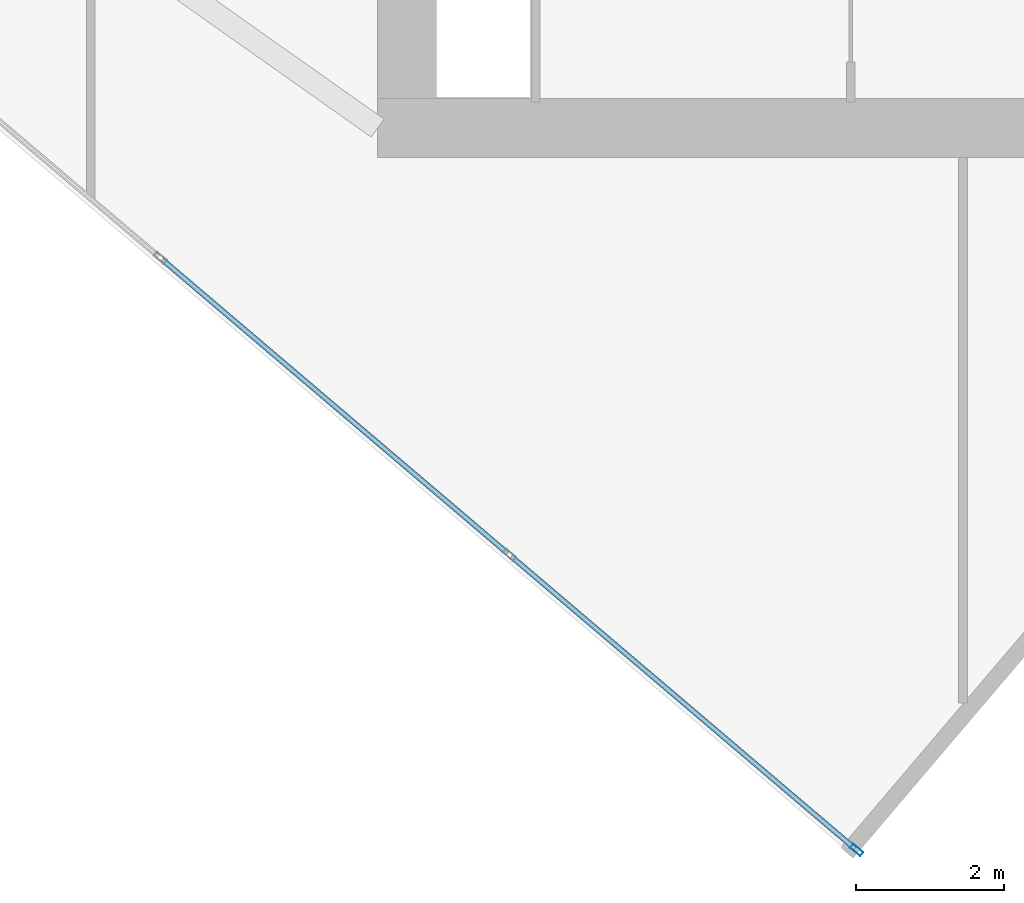
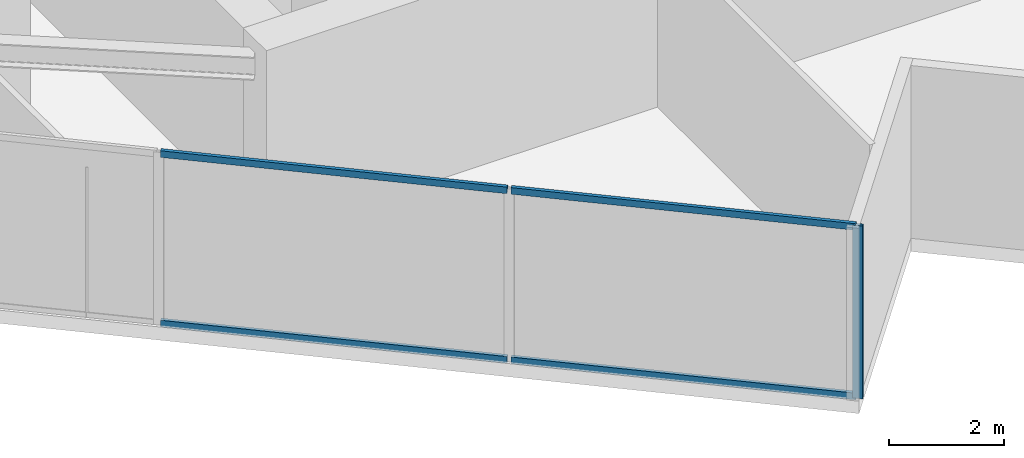
# One storey, part 3 of 26: 5 members, 1 element without a shape of its own.
"""IFC4 building model written with IfcOpenShell, lengths in metres."""

import ifcopenshell
import ifcopenshell.guid

model = None  # the IFC model being written
_history = None  # IfcOwnerHistory: only IFC2X3 demands one
_inside = {}  # id of a spatial element -> (the spatial element, [elements in it])
_under = {}  # id of a project, library or spatial element -> (it, [spatial elements below it])
_declared = {}  # id of a project -> (the project, [libraries it declares])
_typed = {}  # id of a type object -> (the type object, [elements of that type])
_made_of = {}  # id of a material, layer set ... -> (it, [elements and type objects made of it])


def new_model(schema):
    """Start an empty IFC model of exactly this schema.

    Asked for "IFC4X3", IfcOpenShell would pick the latest addendum, in which some entities
    have other attributes; the version numbers below select the first issue.
    IFC2X3 requires an IfcOwnerHistory on every rooted entity: one is made here for all.
    """
    global model, _history
    if schema == "IFC4X3":
        model = ifcopenshell.file(schema_version=(4, 3, 0, 0))
    else:
        model = ifcopenshell.file(schema=schema)
    _inside.clear()
    _under.clear()
    _declared.clear()
    _typed.clear()
    _made_of.clear()
    _history = None
    if model.schema == "IFC2X3":
        org = make("IfcOrganization", Name="unknown")
        user = make(
            "IfcPersonAndOrganization",
            ThePerson=make("IfcPerson", FamilyName="unknown"),
            TheOrganization=org,
        )
        app = make(
            "IfcApplication",
            ApplicationDeveloper=org,
            Version="unknown",
            ApplicationFullName="unknown",
            ApplicationIdentifier="unknown",
        )
        _history = make(
            "IfcOwnerHistory",
            OwningUser=user,
            OwningApplication=app,
            ChangeAction="ADDED",
            CreationDate=0,
        )
    return model


def make(cls, **values):
    """One entity of the class cls with the attributes given. An attribute that is None is left unset."""
    return model.create_entity(
        cls, **{name: value for name, value in values.items() if value is not None}
    )


def rooted(cls, **values):
    """An entity with a GlobalId (a new one), such as an element, a storey or a relation."""
    return make(cls, GlobalId=ifcopenshell.guid.new(), OwnerHistory=_history, **values)


def si_unit(unit_type, name, prefix=None):
    """IfcSIUnit, for example si_unit("LENGTHUNIT", "METRE", prefix="MILLI")."""
    return make("IfcSIUnit", UnitType=unit_type, Prefix=prefix, Name=name)


def assignment(units):
    """IfcUnitAssignment: the units of a project."""
    return None if units is None else make("IfcUnitAssignment", Units=units)


def point(xyz):
    """IfcCartesianPoint."""
    return None if xyz is None else make("IfcCartesianPoint", Coordinates=xyz)


def direction(xyz):
    """IfcDirection."""
    return None if xyz is None else make("IfcDirection", DirectionRatios=xyz)


def frame(location, z_axis=None, x_axis=None):
    """IfcAxis2Placement3D, a coordinate frame: its origin and axes. An axis left out is left unset."""
    return make(
        "IfcAxis2Placement3D",
        Location=point(location),
        Axis=direction(z_axis),
        RefDirection=direction(x_axis),
    )


def frame_2d(location, x_axis=None):
    """IfcAxis2Placement2D, a coordinate frame in the plane: its origin and x axis."""
    return make(
        "IfcAxis2Placement2D", Location=point(location), RefDirection=direction(x_axis)
    )


def origin():
    """The frame at (0, 0, 0) with its axes left unset."""
    return frame((0.0, 0.0, 0.0))


def origin_2d():
    """The frame at (0, 0) in the plane with its x axis left unset."""
    return frame_2d((0.0, 0.0))


def place(relative_to, where):
    """IfcLocalPlacement: puts the frame where relative to a parent placement (None: the world)."""
    return make(
        "IfcLocalPlacement", PlacementRelTo=relative_to, RelativePlacement=where
    )


def context(
    kind, dimensions, precision=None, world=None, true_north=None, identifier=None
):
    """IfcGeometricRepresentationContext, for example the 3D "Model" context."""
    return make(
        "IfcGeometricRepresentationContext",
        ContextIdentifier=identifier,
        ContextType=kind,
        CoordinateSpaceDimension=dimensions,
        Precision=precision,
        WorldCoordinateSystem=world,
        TrueNorth=true_north,
    )


def subcontext(parent, identifier, kind, view, scale=None):
    """IfcGeometricRepresentationSubContext, for example "Body" below "Model"."""
    return make(
        "IfcGeometricRepresentationSubContext",
        ContextIdentifier=identifier,
        ContextType=kind,
        ParentContext=parent,
        TargetScale=scale,
        TargetView=view,
    )


def project(units=None, contexts=None):
    """IfcProject with its units and contexts."""
    return rooted(
        "IfcProject",
        Name="project",
        RepresentationContexts=contexts,
        UnitsInContext=assignment(units),
    )


def spatial(cls, under=None, at=None, **own):
    """A site, building, storey or space (cls), placed at a placement, below another one or the project."""
    s = rooted(cls, ObjectPlacement=at, **own)
    if under is not None:
        _under.setdefault(under.id(), (under, []))[1].append(s)
    return s


def profile(cls, at=None, kind="AREA", **sizes):
    """A parametric profile (cls). Its sizes go by their IFC names, for example OverallWidth=200.0."""
    return make(cls, ProfileType=kind, Position=at, **sizes)


def hollow_rectangle(**sizes):
    """IfcRectangleHollowProfileDef."""
    return profile("IfcRectangleHollowProfileDef", **sizes)


def extrude(swept, where, along, depth):
    """IfcExtrudedAreaSolid: the profile swept, set in the frame where, extruded along a direction by depth."""
    return make(
        "IfcExtrudedAreaSolid",
        SweptArea=swept,
        Position=where,
        ExtrudedDirection=direction(along),
        Depth=depth,
    )


def shape(context_of_items, identifier, shape_type, items):
    """IfcShapeRepresentation: the items that make up one representation, for example the "Body"."""
    return make(
        "IfcShapeRepresentation",
        ContextOfItems=context_of_items,
        RepresentationIdentifier=identifier,
        RepresentationType=shape_type,
        Items=items,
    )


def source(mapping_origin, context_of_items, identifier, shape_type, items):
    """IfcRepresentationMap: a shape defined once, which mapped items show again and again."""
    return make(
        "IfcRepresentationMap",
        MappingOrigin=mapping_origin,
        MappedRepresentation=shape(context_of_items, identifier, shape_type, items),
    )


def transform(
    local_origin,
    x_axis=None,
    y_axis=None,
    z_axis=None,
    scale=None,
    scale2=None,
    scale3=None,
    uniform=True,
):
    """IfcCartesianTransformationOperator3D, or its non-uniform kind. x_axis, y_axis, z_axis: its Axis1, 2, 3."""
    if uniform:
        return make(
            "IfcCartesianTransformationOperator3D",
            Axis1=direction(x_axis),
            Axis2=direction(y_axis),
            LocalOrigin=point(local_origin),
            Scale=scale,
            Axis3=direction(z_axis),
        )
    return make(
        "IfcCartesianTransformationOperator3DnonUniform",
        Axis1=direction(x_axis),
        Axis2=direction(y_axis),
        LocalOrigin=point(local_origin),
        Scale=scale,
        Axis3=direction(z_axis),
        Scale2=scale2,
        Scale3=scale3,
    )


def mapped(mapping_source, mapping_target):
    """IfcMappedItem: shows the shape of a source again, moved by a transform."""
    return make(
        "IfcMappedItem", MappingSource=mapping_source, MappingTarget=mapping_target
    )


def material(Name=None, Category=None):
    """IfcMaterial."""
    return make("IfcMaterial", Name=Name, Category=Category)


def material_profile(
    of_material, cross_section, Name=None, Category=None, Priority=None
):
    """IfcMaterialProfile: a cross section and its material."""
    return make(
        "IfcMaterialProfile",
        Name=Name,
        Material=of_material,
        Profile=cross_section,
        Priority=Priority,
        Category=Category,
    )


def profile_set(profiles, Name=None, composite=None):
    """IfcMaterialProfileSet."""
    return make(
        "IfcMaterialProfileSet",
        Name=Name,
        MaterialProfiles=profiles,
        CompositeProfile=composite,
    )


def made_of(thing, what):
    """Note that an element or type object is made of a material, layer set ...; save() writes the relation."""
    if what is not None:
        _made_of.setdefault(what.id(), (what, []))[1].append(thing)
    return thing


def type_object(cls, material=None, **own):
    """A type object (cls), such as IfcWallType, which elements share."""
    return made_of(rooted(cls, **own), material)


def type_shapes(of_type, sources):
    """Give a type object the sources (RepresentationMaps) that its elements show as mapped items."""
    of_type.RepresentationMaps = sources


def element(
    cls,
    number,
    at=None,
    inside=None,
    cuts=None,
    type_object=None,
    material=None,
    context=None,
    identifier="Body",
    shape_type=None,
    held_by="IfcProductDefinitionShape",
    body=None,
    shapes=None,
    **own,
):
    """One element of the class cls, such as IfcWall. Its Tag is "e" and its number.

    at: its placement. inside: the storey or other place that contains it. cuts: it is an
    opening in that element (IfcRelVoidsElement). A single representation is given by context,
    identifier, shape_type and body (its items); several are given by shapes. held_by: the class
    of the entity that holds the representations. save() writes the other relations.
    """
    e = rooted(cls, Tag="e%d" % number, ObjectPlacement=at, **own)
    if body is not None:
        shapes = [shape(context, identifier, shape_type, body)]
    if shapes is not None:
        e.Representation = make(held_by, Representations=shapes)
    if inside is not None:
        _inside.setdefault(inside.id(), (inside, []))[1].append(e)
    if cuts is not None:
        rooted(
            "IfcRelVoidsElement", RelatingBuildingElement=cuts, RelatedOpeningElement=e
        )
    if type_object is not None:
        _typed.setdefault(type_object.id(), (type_object, []))[1].append(e)
    return made_of(e, material)


def aggregate(whole, parts):
    """IfcRelAggregates: a whole, such as a stair, and the parts it consists of."""
    return rooted("IfcRelAggregates", RelatingObject=whole, RelatedObjects=parts)


def save(model, path):
    """Write the relations noted so far, then the file.

    IfcRelAggregates (storeys below a building ...), IfcRelContainedInSpatialStructure (elements
    in a storey), IfcRelDefinesByType, IfcRelAssociatesMaterial and IfcRelDeclares: one each for
    every whole, place, type object, material and project.
    """
    for whole, parts in _under.values():
        aggregate(whole, parts)
    for where, things in _inside.values():
        rooted(
            "IfcRelContainedInSpatialStructure",
            RelatedElements=things,
            RelatingStructure=where,
        )
    for kind, things in _typed.values():
        rooted("IfcRelDefinesByType", RelatedObjects=things, RelatingType=kind)
    for what, things in _made_of.values():
        rooted("IfcRelAssociatesMaterial", RelatedObjects=things, RelatingMaterial=what)
    for by, libraries in _declared.values():
        rooted("IfcRelDeclares", RelatingContext=by, RelatedDefinitions=libraries)
    model.write(path)


model = new_model("IFC4")

# Units and contexts
model_context = context("Model", 3, precision=1e-05, world=origin(), true_north=direction((0.0, 1.0)))
body_context = subcontext(model_context, "Body", "Model", "MODEL_VIEW")
ifc_project = project(units=[si_unit("LENGTHUNIT", "METRE"), si_unit("AREAUNIT", "SQUARE_METRE"), si_unit("VOLUMEUNIT", "CUBIC_METRE"), si_unit("PLANEANGLEUNIT", "RADIAN"), si_unit("MASSUNIT", "GRAM", prefix="KILO")], contexts=[model_context])

# Site, building, storey
site_placement = place(None, origin())
site = spatial("IfcSite", under=ifc_project, at=site_placement, CompositionType="ELEMENT")
building_placement = place(site_placement, origin())
building = spatial("IfcBuilding", under=site, at=building_placement, Name="Krantzveldt Concourse Tower", CompositionType="ELEMENT")
storey_placement = place(building_placement, frame((0.0, 0.0, 207.300048828125)))
storey = spatial("IfcBuildingStorey", under=building, at=storey_placement, Name="L50", CompositionType="ELEMENT", Elevation=207.300048828125)

# Curtain wall, members
ifc_material = material(Name="Anodised aluminium 6063-T6", Category="aluminium")
curtain_wall_type = type_object("IfcCurtainWallType", Name="CW3", PredefinedType="USERDEFINED", material=ifc_material)
curtain_wall_placement = place(storey_placement, origin())
curtain_wall = element("IfcCurtainWall", 1, at=curtain_wall_placement, inside=storey, type_object=curtain_wall_type, Name="CW-L50-F04", ObjectType="UNITISED CURTAIN WALL", PredefinedType="USERDEFINED")
ifc_material_profile_1 = material_profile(ifc_material, hollow_rectangle(XDim=0.070068359375, YDim=0.179931640625, WallThickness=0.0048828125, at=origin_2d()), Name="Anodised aluminium 6063-T6", Category="aluminium")
ifc_profile_set_1 = profile_set([ifc_material_profile_1], Name="Anodised aluminium 6063-T6 - ALU-MULL 180x70x5")
member_type_1 = type_object("IfcMemberType", Name="CW-MUL-180", PredefinedType="MULLION", material=ifc_profile_set_1)
shared_shape_1 = source(origin(), body_context, "Body", "SweptSolid", [
    extrude(hollow_rectangle(XDim=0.070068359375, YDim=0.179931640625, WallThickness=0.0048828125, at=origin_2d()), origin(), (0.0, 0.0, 1.0), 3.669921875),
])
type_shapes(member_type_1, [shared_shape_1])
member_1_placement = place(storey_placement, frame((34.560302734375, 1.13330078125, 0.0), z_axis=(0.0, 0.0, 1.0), x_axis=(0.647787694805, 0.761820912327, 0.0)))
member_1 = element("IfcMember", 2, at=member_1_placement, type_object=member_type_1, Name="CW-Z34 mullion 6", PredefinedType="MULLION", context=body_context, shape_type="MappedRepresentation", body=[
    mapped(shared_shape_1, transform((0.0, 0.0, 0.0), x_axis=(1.0, 0.0, 0.0), y_axis=(0.0, 1.0, 0.0), z_axis=(0.0, 0.0, 1.0), scale=1.0)),
])
ifc_material_profile_2 = material_profile(ifc_material, hollow_rectangle(XDim=0.070068359375, YDim=0.139892578125, WallThickness=0.0048828125, at=origin_2d()), Name="Anodised aluminium 6063-T6", Category="aluminium")
ifc_profile_set_2 = profile_set([ifc_material_profile_2], Name="Anodised aluminium 6063-T6 - ALU-TRAN 140x70x5")
member_type_2 = type_object("IfcMemberType", Name="CW-TRN-150", PredefinedType="USERDEFINED", material=ifc_profile_set_2)
shared_shape_2 = source(origin(), body_context, "Body", "SweptSolid", [
    extrude(hollow_rectangle(XDim=0.070068359375, YDim=0.139892578125, WallThickness=0.0048828125, at=origin_2d()), origin(), (0.0, 0.0, 1.0), 6.1298828125),
])
member_2_placement = place(storey_placement, frame((25.1669921875, 9.120361328125, 0.034912109375), z_axis=(0.761817452252, -0.647791763952, 0.0), x_axis=(0.647791763952, 0.761817452252, 0.0)))
member_2 = element("IfcMember", 3, at=member_2_placement, type_object=member_type_2, Name="CW-Z34 transom 4.1", ObjectType="TRANSOM", PredefinedType="USERDEFINED", context=body_context, shape_type="MappedRepresentation", body=[
    mapped(shared_shape_2, transform((0.0, 0.0, 0.0), x_axis=(1.0, 0.0, 0.0), y_axis=(0.0, 1.0, 0.0), z_axis=(0.0, 0.0, 1.0), scale=1.0)),
])
member_3_placement = place(storey_placement, frame((25.1669921875, 9.120361328125, 3.635009765625), z_axis=(0.761817452252, -0.647791763952, 0.0), x_axis=(0.647791763952, 0.761817452252, 0.0)))
member_3 = element("IfcMember", 4, at=member_3_placement, type_object=member_type_2, Name="CW-Z34 transom 4.2", ObjectType="TRANSOM", PredefinedType="USERDEFINED", context=body_context, shape_type="MappedRepresentation", body=[
    mapped(shared_shape_2, transform((0.0, 0.0, 0.0), x_axis=(1.0, 0.0, 0.0), y_axis=(0.0, 1.0, 0.0), z_axis=(0.0, 0.0, 1.0), scale=1.0)),
])
shared_shape_3 = source(origin(), body_context, "Body", "SweptSolid", [
    extrude(hollow_rectangle(XDim=0.070068359375, YDim=0.139892578125, WallThickness=0.0048828125, at=origin_2d()), origin(), (0.0, 0.0, 1.0), 6.09521484375),
])
type_shapes(member_type_2, [shared_shape_2, shared_shape_3])
member_4_placement = place(storey_placement, frame((29.89013671875, 5.104248046875, 0.034912109375), z_axis=(0.761803905125, -0.647807695336, 0.0), x_axis=(0.647807695336, 0.761803905125, 0.0)))
member_4 = element("IfcMember", 5, at=member_4_placement, type_object=member_type_2, Name="CW-Z34 transom 5.1", ObjectType="TRANSOM", PredefinedType="USERDEFINED", context=body_context, shape_type="MappedRepresentation", body=[
    mapped(shared_shape_3, transform((0.0, 0.0, 0.0), x_axis=(1.0, 0.0, 0.0), y_axis=(0.0, 1.0, 0.0), z_axis=(0.0, 0.0, 1.0), scale=1.0)),
])
member_5_placement = place(storey_placement, frame((29.89013671875, 5.104248046875, 3.635009765625), z_axis=(0.761803905125, -0.647807695336, 0.0), x_axis=(0.647807695336, 0.761803905125, 0.0)))
member_5 = element("IfcMember", 6, at=member_5_placement, type_object=member_type_2, Name="CW-Z34 transom 5.2", ObjectType="TRANSOM", PredefinedType="USERDEFINED", context=body_context, shape_type="MappedRepresentation", body=[
    mapped(shared_shape_3, transform((0.0, 0.0, 0.0), x_axis=(1.0, 0.0, 0.0), y_axis=(0.0, 1.0, 0.0), z_axis=(0.0, 0.0, 1.0), scale=1.0)),
])
aggregate(curtain_wall, [member_1, member_2, member_3, member_4, member_5])

save(model, "model.ifc")
